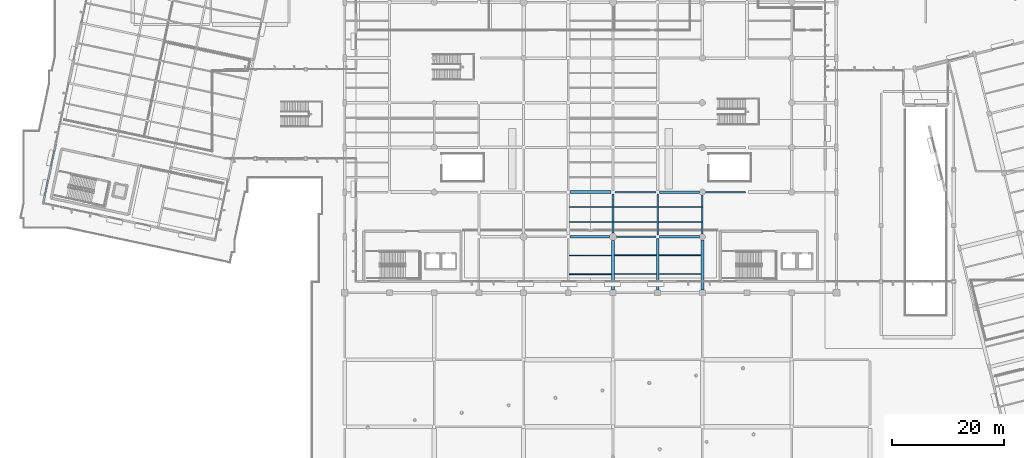
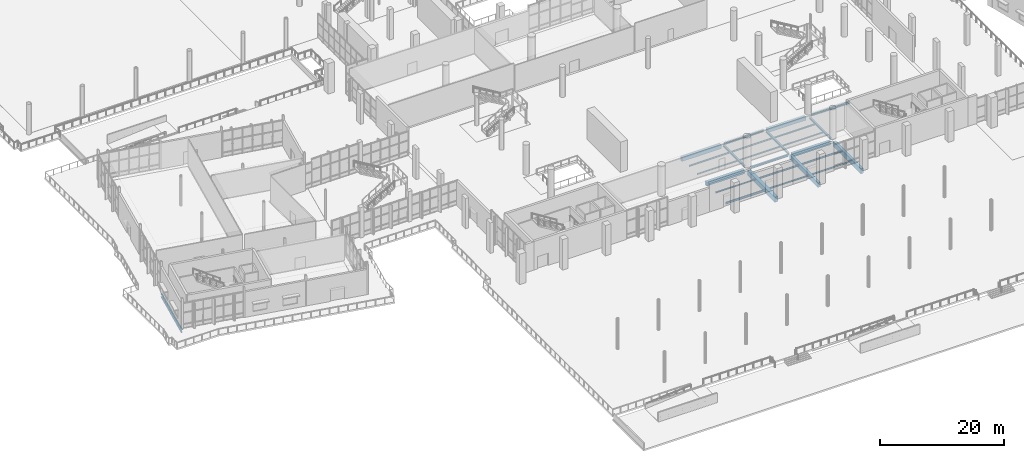
# One storey, part 40 of 163: 26 beams.
"""IFC4 building model written with IfcOpenShell, lengths in metres."""

from ifc_helpers import new_model, si_unit, direction, frame, origin, origin_2d, place, context, subcontext, project, spatial, rectangle, i_section, extrude, material, material_profile, profile_set, type_object, element, save


model = new_model("IFC4")

# Units and contexts
model_context = context("Model", 3, precision=1e-05, world=origin(), true_north=direction((0.0, 1.0)))
body_context = subcontext(model_context, "Body", "Model", "MODEL_VIEW")
ifc_project = project(units=[si_unit("LENGTHUNIT", "METRE"), si_unit("AREAUNIT", "SQUARE_METRE"), si_unit("VOLUMEUNIT", "CUBIC_METRE"), si_unit("PLANEANGLEUNIT", "RADIAN"), si_unit("MASSUNIT", "GRAM", prefix="KILO")], contexts=[model_context])

# Site, building, storey
site_placement = place(None, origin())
site = spatial("IfcSite", under=ifc_project, at=site_placement, CompositionType="ELEMENT")
building_placement = place(site_placement, origin())
building = spatial("IfcBuilding", under=site, at=building_placement, Name="Khorjan Park Terminus", CompositionType="ELEMENT")
storey_placement = place(building_placement, origin())
storey = spatial("IfcBuildingStorey", under=building, at=storey_placement, Name="L00", CompositionType="ELEMENT", Elevation=0.0)

# Beams
ifc_material_1 = material(Name="Steel S355", Category="steel")
ifc_material_profile_1 = material_profile(ifc_material_1, i_section(OverallWidth=0.3, OverallDepth=0.39, WebThickness=0.011, FlangeThickness=0.019, FilletRadius=0.027, at=origin_2d()), Name="HEA 400")
ifc_profile_set_1 = profile_set([ifc_material_profile_1], Name="Steel S355")
beam_type_1 = type_object("IfcBeamType", Name="BM-HEA400", PredefinedType="BEAM", material=ifc_profile_set_1)
beam_1_placement = place(storey_placement, frame((96.645, 36.0, -0.545), z_axis=(1.0, 0.0, 0.0), x_axis=(0.0, 1.0, 0.0)))
element("IfcBeam", 1, at=beam_1_placement, inside=storey, type_object=beam_type_1, Name="Primary floor girder SB-A40 (L00)", PredefinedType="BEAM", context=body_context, shape_type="SweptSolid", body=[
    extrude(i_section(OverallWidth=0.3, OverallDepth=0.39, WebThickness=0.011, FlangeThickness=0.019, FilletRadius=0.027, at=origin_2d()), origin(), (0.0, 0.0, 1.0), 7.06),
])
beam_2_placement = place(storey_placement, frame((96.32, 44.0, -0.545), z_axis=(1.0, 0.0, 0.0), x_axis=(0.0, 1.0, 0.0)))
element("IfcBeam", 2, at=beam_2_placement, inside=storey, type_object=beam_type_1, Name="Primary floor girder SB-A40 (L00)", PredefinedType="BEAM", context=body_context, shape_type="SweptSolid", body=[
    extrude(i_section(OverallWidth=0.3, OverallDepth=0.39, WebThickness=0.011, FlangeThickness=0.019, FilletRadius=0.027, at=origin_2d()), origin(), (0.0, 0.0, 1.0), 7.385),
])
ifc_material_profile_2 = material_profile(ifc_material_1, i_section(OverallWidth=0.3, OverallDepth=0.44, WebThickness=0.0115, FlangeThickness=0.021, FilletRadius=0.027, at=origin_2d()), Name="HEA 450")
ifc_profile_set_2 = profile_set([ifc_material_profile_2], Name="Steel S355")
beam_type_2 = type_object("IfcBeamType", Name="BM-HEA450", PredefinedType="BEAM", material=ifc_profile_set_2)
beam_3_placement = place(storey_placement, frame((112.545, 44.0, -0.57), z_axis=(1.0, 0.0, 0.0), x_axis=(0.0, 1.0, 0.0)))
element("IfcBeam", 3, at=beam_3_placement, inside=storey, type_object=beam_type_2, Name="Primary floor girder SB-A45 (L00)", PredefinedType="BEAM", context=body_context, shape_type="SweptSolid", body=[
    extrude(i_section(OverallWidth=0.3, OverallDepth=0.44, WebThickness=0.0115, FlangeThickness=0.021, FilletRadius=0.027, at=origin_2d()), origin(), (0.0, 0.0, 1.0), 7.16),
])
ifc_material_profile_3 = material_profile(ifc_material_1, i_section(OverallWidth=0.3, OverallDepth=0.59, WebThickness=0.013, FlangeThickness=0.025, FilletRadius=0.027, at=origin_2d()), Name="HEA 600")
ifc_profile_set_3 = profile_set([ifc_material_profile_3], Name="Steel S355")
beam_type_3 = type_object("IfcBeamType", Name="BM-HEA600", PredefinedType="BEAM", material=ifc_profile_set_3)
beam_4_placement = place(storey_placement, frame((-5.9699, 42.1418, -0.655), z_axis=(0.207916823947, 0.978146509639, 0.0), x_axis=(-0.978146509639, 0.207916823947, 0.0)))
element("IfcBeam", 4, at=beam_4_placement, inside=storey, type_object=beam_type_3, Name="Primary skew-grid floor girder SB-A60 (L00)", PredefinedType="BEAM", context=body_context, shape_type="SweptSolid", body=[
    extrude(i_section(OverallWidth=0.3, OverallDepth=0.59, WebThickness=0.013, FlangeThickness=0.025, FilletRadius=0.027, at=origin_2d()), origin(), (0.0, 0.0, 1.0), 10.7101),
])
ifc_material_profile_4 = material_profile(ifc_material_1, i_section(OverallWidth=0.3, OverallDepth=0.4, WebThickness=0.0135, FlangeThickness=0.024, FilletRadius=0.027, at=origin_2d()), Name="HEB 400")
ifc_profile_set_4 = profile_set([ifc_material_profile_4], Name="Steel S355")
beam_type_4 = type_object("IfcBeamType", Name="BM-HEB400", PredefinedType="BEAM", material=ifc_profile_set_4)
beam_5_placement = place(storey_placement, frame((96.0, 36.645, -0.55), z_axis=(0.0, 1.0, 0.0), x_axis=(-1.0, 0.0, 0.0)))
element("IfcBeam", 5, at=beam_5_placement, inside=storey, type_object=beam_type_4, Name="Primary floor girder SB-B40 (L00)", PredefinedType="BEAM", context=body_context, shape_type="SweptSolid", body=[
    extrude(i_section(OverallWidth=0.3, OverallDepth=0.4, WebThickness=0.0135, FlangeThickness=0.024, FilletRadius=0.027, at=origin_2d()), origin(), (0.0, 0.0, 1.0), 7.035),
])
beam_6_placement = place(storey_placement, frame((104.0, 36.295, -0.55), z_axis=(0.0, 1.0, 0.0), x_axis=(-1.0, 0.0, 0.0)))
element("IfcBeam", 6, at=beam_6_placement, inside=storey, type_object=beam_type_4, Name="Primary floor girder SB-B40 (L00)", PredefinedType="BEAM", context=body_context, shape_type="SweptSolid", body=[
    extrude(i_section(OverallWidth=0.3, OverallDepth=0.4, WebThickness=0.0135, FlangeThickness=0.024, FilletRadius=0.027, at=origin_2d()), origin(), (0.0, 0.0, 1.0), 7.41),
])
beam_7_placement = place(storey_placement, frame((112.0, 36.545, -0.55), z_axis=(0.0, 1.0, 0.0), x_axis=(-1.0, 0.0, 0.0)))
element("IfcBeam", 7, at=beam_7_placement, inside=storey, type_object=beam_type_4, Name="Primary floor girder SB-B40 (L00)", PredefinedType="BEAM", context=body_context, shape_type="SweptSolid", body=[
    extrude(i_section(OverallWidth=0.3, OverallDepth=0.4, WebThickness=0.0135, FlangeThickness=0.024, FilletRadius=0.027, at=origin_2d()), origin(), (0.0, 0.0, 1.0), 6.91),
])
ifc_material_2 = material(Name="Concrete C40/50", Category="concrete")
ifc_material_profile_5 = material_profile(ifc_material_2, rectangle(XDim=0.45, YDim=0.75, at=origin_2d()), Name="RC 450x750")
ifc_profile_set_5 = profile_set([ifc_material_profile_5], Name="Concrete C40/50")
beam_type_5 = type_object("IfcBeamType", Name="BM-RC450x750", PredefinedType="BEAM", material=ifc_profile_set_5)
for number, where, z_axis, x_axis, name in (
    (8, (104.295, 36.0, -0.725), (1.0, 0.0, 0.0), (0.0, 1.0, 0.0), "Primary floor girder GB-75 (L00)"),
    (9, (104.295, 44.0, -0.725), (1.0, 0.0, 0.0), (0.0, 1.0, 0.0), "Primary floor girder GB-75 (L00)"),
):
    element("IfcBeam", number, at=place(storey_placement, frame(where, z_axis=z_axis, x_axis=x_axis)), inside=storey, type_object=beam_type_5, Name=name, PredefinedType="BEAM", context=body_context, shape_type="SweptSolid", body=[
        extrude(rectangle(XDim=0.45, YDim=0.75, at=origin_2d()), origin(), (0.0, 0.0, 1.0), 7.16),
    ])
ifc_material_profile_6 = material_profile(ifc_material_2, rectangle(XDim=0.5, YDim=1.0, at=origin_2d()), Name="RC 500x1000")
ifc_profile_set_6 = profile_set([ifc_material_profile_6], Name="Concrete C40/50")
beam_type_6 = type_object("IfcBeamType", Name="BM-RC500x1000", PredefinedType="BEAM", material=ifc_profile_set_6)
beam_8_placement = place(storey_placement, frame((112.0, 26.52, -0.85), z_axis=(0.0, 1.0, 0.0), x_axis=(-1.0, 0.0, 0.0)))
element("IfcBeam", 10, at=beam_8_placement, inside=storey, type_object=beam_type_6, Name="Primary floor girder GB-10B (L00)", PredefinedType="BEAM", context=body_context, shape_type="SweptSolid", body=[
    extrude(rectangle(XDim=0.5, YDim=1.0, at=origin_2d()), origin(), (0.0, 0.0, 1.0), 8.935),
])
ifc_material_profile_7 = material_profile(ifc_material_2, rectangle(XDim=0.5, YDim=0.8, at=origin_2d()), Name="RC 500x800")
ifc_profile_set_7 = profile_set([ifc_material_profile_7], Name="Concrete C40/50")
beam_type_7 = type_object("IfcBeamType", Name="BM-RC500x800", PredefinedType="BEAM", material=ifc_profile_set_7)
beam_9_placement = place(storey_placement, frame((88.295, 36.0, -0.76), z_axis=(1.0, 0.0, 0.0), x_axis=(0.0, 1.0, 0.0)))
element("IfcBeam", 11, at=beam_9_placement, inside=storey, type_object=beam_type_7, Name="Primary floor girder GB-08 (L00)", PredefinedType="BEAM", context=body_context, shape_type="SweptSolid", body=[
    extrude(rectangle(XDim=0.5, YDim=0.8, at=origin_2d()), origin(), (0.0, 0.0, 1.0), 7.06),
])
beam_10_placement = place(storey_placement, frame((88.295, 44.0, -0.76), z_axis=(1.0, 0.0, 0.0), x_axis=(0.0, 1.0, 0.0)))
element("IfcBeam", 12, at=beam_10_placement, inside=storey, type_object=beam_type_7, Name="Primary floor girder GB-08 (L00)", PredefinedType="BEAM", context=body_context, shape_type="SweptSolid", body=[
    extrude(rectangle(XDim=0.5, YDim=0.8, at=origin_2d()), origin(), (0.0, 0.0, 1.0), 7.385),
])
ifc_material_profile_8 = material_profile(ifc_material_2, rectangle(XDim=0.5, YDim=0.9, at=origin_2d()), Name="RC 500x900")
ifc_profile_set_8 = profile_set([ifc_material_profile_8], Name="Concrete C40/50")
beam_type_8 = type_object("IfcBeamType", Name="BM-RC500x900", PredefinedType="BEAM", material=ifc_profile_set_8)
beam_11_placement = place(storey_placement, frame((104.0, 26.52, -0.8), z_axis=(0.0, 1.0, 0.0), x_axis=(-1.0, 0.0, 0.0)))
element("IfcBeam", 13, at=beam_11_placement, inside=storey, type_object=beam_type_8, Name="Primary floor girder GB-09 (L00)", PredefinedType="BEAM", context=body_context, shape_type="SweptSolid", body=[
    extrude(rectangle(XDim=0.5, YDim=0.9, at=origin_2d()), origin(), (0.0, 0.0, 1.0), 9.185),
])
ifc_material_profile_9 = material_profile(ifc_material_2, rectangle(XDim=0.6, YDim=1.0, at=origin_2d()), Name="RC 600x1000")
ifc_profile_set_9 = profile_set([ifc_material_profile_9], Name="Concrete C40/50")
beam_type_9 = type_object("IfcBeamType", Name="BM-RC600x1000", PredefinedType="BEAM", material=ifc_profile_set_9)
beam_12_placement = place(storey_placement, frame((96.0, 26.52, -0.85), z_axis=(0.0, 1.0, 0.0), x_axis=(-1.0, 0.0, 0.0)))
element("IfcBeam", 14, at=beam_12_placement, inside=storey, type_object=beam_type_9, Name="Primary floor girder GB-10 (L00)", PredefinedType="BEAM", context=body_context, shape_type="SweptSolid", body=[
    extrude(rectangle(XDim=0.6, YDim=1.0, at=origin_2d()), origin(), (0.0, 0.0, 1.0), 8.835),
])
ifc_material_profile_10 = material_profile(ifc_material_1, i_section(OverallWidth=0.135, OverallDepth=0.27, WebThickness=0.0066, FlangeThickness=0.0102, FilletRadius=0.015, at=origin_2d()), Name="IPE 270")
ifc_profile_set_10 = profile_set([ifc_material_profile_10], Name="Steel S355")
beam_type_10 = type_object("IfcBeamType", Name="JS-IPE270", PredefinedType="JOIST", material=ifc_profile_set_10)
beam_13_placement = place(storey_placement, frame((88.15, 32.6667, -0.495), z_axis=(1.0, 0.0, 0.0), x_axis=(0.0, 1.0, 0.0)))
element("IfcBeam", 15, at=beam_13_placement, inside=storey, type_object=beam_type_10, Name="Secondary composite floor joist SJ-27 (L00)", PredefinedType="JOIST", context=body_context, shape_type="SweptSolid", body=[
    extrude(i_section(OverallWidth=0.135, OverallDepth=0.27, WebThickness=0.0066, FlangeThickness=0.0102, FilletRadius=0.015, at=origin_2d()), origin(), (0.0, 0.0, 1.0), 7.55),
])
beam_14_placement = place(storey_placement, frame((88.2, 38.6667, -0.495), z_axis=(1.0, 0.0, 0.0), x_axis=(0.0, 1.0, 0.0)))
element("IfcBeam", 16, at=beam_14_placement, inside=storey, type_object=beam_type_10, Name="Secondary composite floor joist SJ-27 (L00)", PredefinedType="JOIST", context=body_context, shape_type="SweptSolid", body=[
    extrude(i_section(OverallWidth=0.135, OverallDepth=0.27, WebThickness=0.0066, FlangeThickness=0.0102, FilletRadius=0.015, at=origin_2d()), origin(), (0.0, 0.0, 1.0), 7.65),
])
for number, where, z_axis, x_axis, name in (
    (17, (96.15, 38.6667, -0.485), (1.0, 0.0, 0.0), (0.0, 1.0, 0.0), "Secondary composite floor joist SJ-27 (L00)"),
    (18, (104.15, 38.6667, -0.485), (1.0, 0.0, 0.0), (0.0, 1.0, 0.0), "Secondary composite floor joist SJ-27 (L00)"),
):
    element("IfcBeam", number, at=place(storey_placement, frame(where, z_axis=z_axis, x_axis=x_axis)), inside=storey, type_object=beam_type_10, Name=name, PredefinedType="JOIST", context=body_context, shape_type="SweptSolid", body=[
        extrude(i_section(OverallWidth=0.135, OverallDepth=0.27, WebThickness=0.0066, FlangeThickness=0.0102, FilletRadius=0.015, at=origin_2d()), origin(), (0.0, 0.0, 1.0), 7.7),
    ])
ifc_material_profile_11 = material_profile(ifc_material_1, i_section(OverallWidth=0.15, OverallDepth=0.3, WebThickness=0.0071, FlangeThickness=0.0107, FilletRadius=0.015, at=origin_2d()), Name="IPE 300")
ifc_profile_set_11 = profile_set([ifc_material_profile_11], Name="Steel S355")
beam_type_11 = type_object("IfcBeamType", Name="JS-IPE300", PredefinedType="JOIST", material=ifc_profile_set_11)
beam_15_placement = place(storey_placement, frame((88.2, 41.3333, -0.51), z_axis=(1.0, 0.0, 0.0), x_axis=(0.0, 1.0, 0.0)))
element("IfcBeam", 19, at=beam_15_placement, inside=storey, type_object=beam_type_11, Name="Secondary composite floor joist SJ-30 (L00)", PredefinedType="JOIST", context=body_context, shape_type="SweptSolid", body=[
    extrude(i_section(OverallWidth=0.15, OverallDepth=0.3, WebThickness=0.0071, FlangeThickness=0.0107, FilletRadius=0.015, at=origin_2d()), origin(), (0.0, 0.0, 1.0), 7.65),
])
beam_16_placement = place(storey_placement, frame((96.3, 29.3333, -0.5), z_axis=(1.0, 0.0, 0.0), x_axis=(0.0, 1.0, 0.0)))
element("IfcBeam", 20, at=beam_16_placement, inside=storey, type_object=beam_type_11, Name="Secondary composite floor joist SJ-30 (L00)", PredefinedType="JOIST", context=body_context, shape_type="SweptSolid", body=[
    extrude(i_section(OverallWidth=0.15, OverallDepth=0.3, WebThickness=0.0071, FlangeThickness=0.0107, FilletRadius=0.015, at=origin_2d()), origin(), (0.0, 0.0, 1.0), 7.45),
])
beam_17_placement = place(storey_placement, frame((96.15, 41.3333, -0.5), z_axis=(1.0, 0.0, 0.0), x_axis=(0.0, 1.0, 0.0)))
element("IfcBeam", 21, at=beam_17_placement, inside=storey, type_object=beam_type_11, Name="Secondary composite floor joist SJ-30 (L00)", PredefinedType="JOIST", context=body_context, shape_type="SweptSolid", body=[
    extrude(i_section(OverallWidth=0.15, OverallDepth=0.3, WebThickness=0.0071, FlangeThickness=0.0107, FilletRadius=0.015, at=origin_2d()), origin(), (0.0, 0.0, 1.0), 7.7),
])
beam_18_placement = place(storey_placement, frame((104.25, 29.3333, -0.5), z_axis=(1.0, 0.0, 0.0), x_axis=(0.0, 1.0, 0.0)))
element("IfcBeam", 22, at=beam_18_placement, inside=storey, type_object=beam_type_11, Name="Secondary composite floor joist SJ-30 (L00)", PredefinedType="JOIST", context=body_context, shape_type="SweptSolid", body=[
    extrude(i_section(OverallWidth=0.15, OverallDepth=0.3, WebThickness=0.0071, FlangeThickness=0.0107, FilletRadius=0.015, at=origin_2d()), origin(), (0.0, 0.0, 1.0), 7.5),
])
beam_19_placement = place(storey_placement, frame((104.15, 41.3333, -0.5), z_axis=(1.0, 0.0, 0.0), x_axis=(0.0, 1.0, 0.0)))
element("IfcBeam", 23, at=beam_19_placement, inside=storey, type_object=beam_type_11, Name="Secondary composite floor joist SJ-30 (L00)", PredefinedType="JOIST", context=body_context, shape_type="SweptSolid", body=[
    extrude(i_section(OverallWidth=0.15, OverallDepth=0.3, WebThickness=0.0071, FlangeThickness=0.0107, FilletRadius=0.015, at=origin_2d()), origin(), (0.0, 0.0, 1.0), 7.7),
])
ifc_material_profile_12 = material_profile(ifc_material_1, i_section(OverallWidth=0.16, OverallDepth=0.33, WebThickness=0.0075, FlangeThickness=0.0115, FilletRadius=0.018, at=origin_2d()), Name="IPE 330")
ifc_profile_set_12 = profile_set([ifc_material_profile_12], Name="Steel S355")
beam_type_12 = type_object("IfcBeamType", Name="JS-IPE330", PredefinedType="JOIST", material=ifc_profile_set_12)
beam_20_placement = place(storey_placement, frame((96.3, 32.6667, -0.515), z_axis=(1.0, 0.0, 0.0), x_axis=(0.0, 1.0, 0.0)))
element("IfcBeam", 24, at=beam_20_placement, inside=storey, type_object=beam_type_12, Name="Secondary composite floor joist SJ-33 (L00)", PredefinedType="JOIST", context=body_context, shape_type="SweptSolid", body=[
    extrude(i_section(OverallWidth=0.16, OverallDepth=0.33, WebThickness=0.0075, FlangeThickness=0.0115, FilletRadius=0.018, at=origin_2d()), origin(), (0.0, 0.0, 1.0), 7.45),
])
beam_21_placement = place(storey_placement, frame((104.25, 32.6667, -0.515), z_axis=(1.0, 0.0, 0.0), x_axis=(0.0, 1.0, 0.0)))
element("IfcBeam", 25, at=beam_21_placement, inside=storey, type_object=beam_type_12, Name="Secondary composite floor joist SJ-33 (L00)", PredefinedType="JOIST", context=body_context, shape_type="SweptSolid", body=[
    extrude(i_section(OverallWidth=0.16, OverallDepth=0.33, WebThickness=0.0075, FlangeThickness=0.0115, FilletRadius=0.018, at=origin_2d()), origin(), (0.0, 0.0, 1.0), 7.5),
])
ifc_material_profile_13 = material_profile(ifc_material_1, i_section(OverallWidth=0.18, OverallDepth=0.4, WebThickness=0.0086, FlangeThickness=0.0135, FilletRadius=0.021, at=origin_2d()), Name="IPE 400")
ifc_profile_set_13 = profile_set([ifc_material_profile_13], Name="Steel S355")
beam_type_13 = type_object("IfcBeamType", Name="JS-IPE400", PredefinedType="JOIST", material=ifc_profile_set_13)
beam_22_placement = place(storey_placement, frame((88.15, 29.3333, -0.56), z_axis=(1.0, 0.0, 0.0), x_axis=(0.0, 1.0, 0.0)))
element("IfcBeam", 26, at=beam_22_placement, inside=storey, type_object=beam_type_13, Name="Secondary composite floor joist SJ-40 (L00)", PredefinedType="JOIST", context=body_context, shape_type="SweptSolid", body=[
    extrude(i_section(OverallWidth=0.18, OverallDepth=0.4, WebThickness=0.0086, FlangeThickness=0.0135, FilletRadius=0.021, at=origin_2d()), origin(), (0.0, 0.0, 1.0), 7.55),
])

save(model, "model.ifc")
